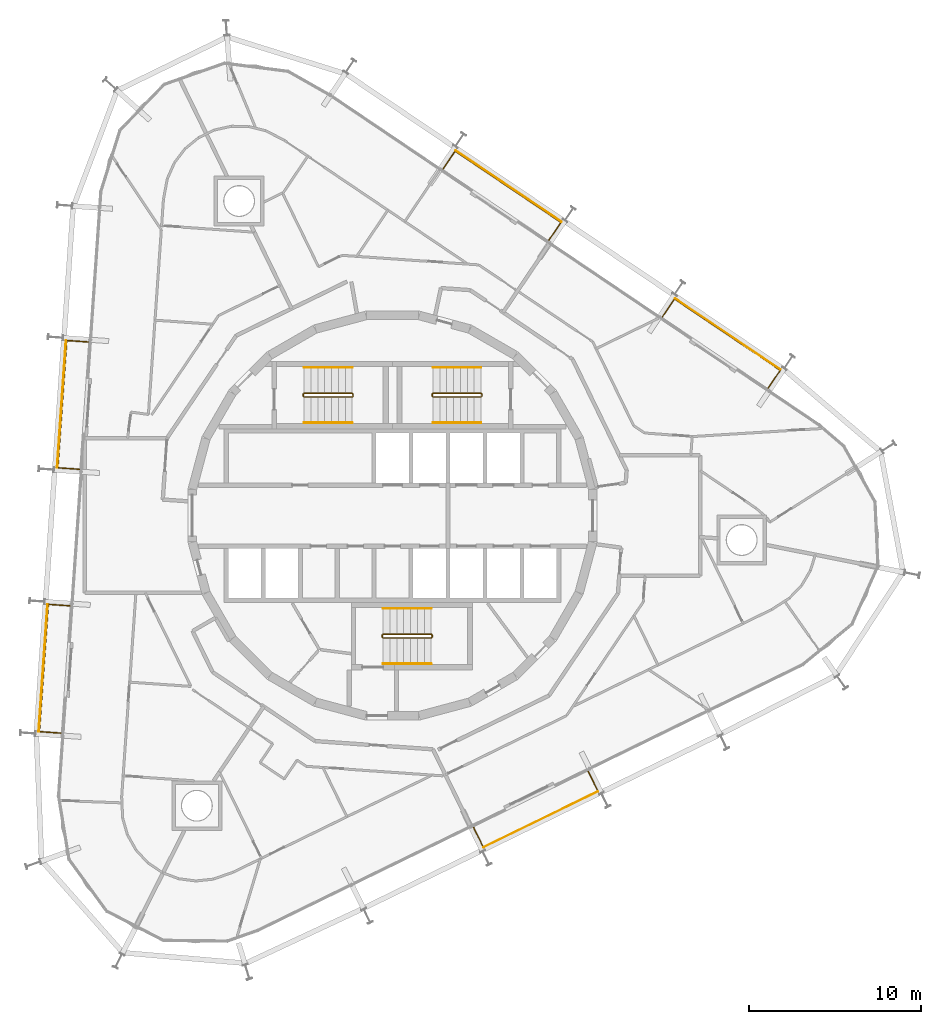
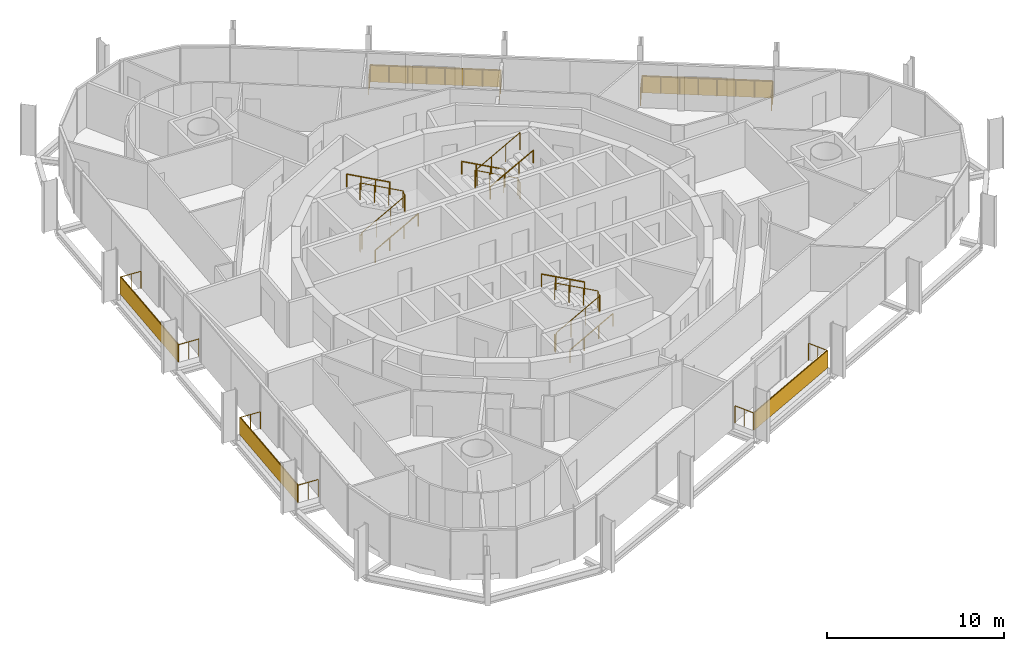
# One storey, part 18 of 18: 14 railings, 5 shading devices.
"""IFC4 building model written with IfcOpenShell, lengths in metres."""

from ifc_helpers import new_model, si_unit, direction, frame, origin, origin_2d, place, context, subcontext, project, spatial, rectangle, circle, extrude, material, layer, layer_set, type_object, element, save


model = new_model("IFC4")

# Units and contexts
model_context = context("Model", 3, precision=1e-05, world=origin(), true_north=direction((0.0, 1.0)))
body_context = subcontext(model_context, "Body", "Model", "MODEL_VIEW")
ifc_project = project(units=[si_unit("LENGTHUNIT", "METRE"), si_unit("AREAUNIT", "SQUARE_METRE"), si_unit("VOLUMEUNIT", "CUBIC_METRE"), si_unit("PLANEANGLEUNIT", "RADIAN"), si_unit("MASSUNIT", "GRAM", prefix="KILO")], contexts=[model_context])

# Site, building, storey
site_placement = place(None, origin())
site = spatial("IfcSite", under=ifc_project, at=site_placement, CompositionType="ELEMENT")
building_placement = place(site_placement, origin())
building = spatial("IfcBuilding", under=site, at=building_placement, Name="Spindle Arch Residences", CompositionType="ELEMENT")
storey_placement = place(building_placement, frame((0.0, 0.0, 198.89990234375)))
storey = spatial("IfcBuildingStorey", under=building, at=storey_placement, Name="L50", CompositionType="ELEMENT", Elevation=198.89990234375)

# Railings
ifc_material_1 = material(Name="Bronze anodised aluminium guard with glass infill", Category="aluminium")
railing_type_1 = type_object("IfcRailingType", Name="Balcony guard 1200", PredefinedType="GUARDRAIL", material=ifc_material_1)
railing_1_placement = place(storey_placement, frame((21.8544921875, 7.41796875, 0.0)))
element("IfcRailing", 1, at=railing_1_placement, inside=storey, type_object=railing_type_1, Name="Guard L50 bay 6", PredefinedType="GUARDRAIL", context=body_context, shape_type="SweptSolid", body=[
    extrude(circle(Radius=0.02392578125, at=origin_2d()), frame((0.0, 0.0, 1.17578125), z_axis=(0.559154156027, 0.829063706718, 0.0), x_axis=(-0.829063706718, 0.559154156027, 0.0)), (0.0, 0.0, 1.0), 1.25),
    extrude(circle(Radius=0.02392578125, at=origin_2d()), frame((0.698974609375, 1.036376953125, 1.17578125), z_axis=(-0.829032773144, 0.559200018824, 0.0), x_axis=(-0.559200018824, -0.829032773144, 0.0)), (0.0, 0.0, 1.0), 7.423828125),
    extrude(circle(Radius=0.02392578125, at=origin_2d()), frame((-5.45556640625, 5.187744140625, 1.17578125), z_axis=(-0.559154156027, -0.829063706718, 0.0), x_axis=(0.829063706718, -0.559154156027, 0.0)), (0.0, 0.0, 1.0), 1.25),
    extrude(circle(Radius=0.02099609375, at=origin_2d()), origin(), (0.0, 0.0, 1.0), 1.15185546875),
    extrude(circle(Radius=0.02099609375, at=origin_2d()), frame((0.349609375, 0.51806640625, 0.0)), (0.0, 0.0, 1.0), 1.15185546875),
    extrude(circle(Radius=0.02099609375, at=origin_2d()), frame((0.698974609375, 1.036376953125, 0.0)), (0.0, 0.0, 1.0), 1.15185546875),
    extrude(circle(Radius=0.02099609375, at=origin_2d()), frame((-0.18017578125, 1.62939453125, 0.0)), (0.0, 0.0, 1.0), 1.15185546875),
    extrude(circle(Radius=0.02099609375, at=origin_2d()), frame((-1.0595703125, 2.222412109375, 0.0)), (0.0, 0.0, 1.0), 1.15185546875),
    extrude(circle(Radius=0.02099609375, at=origin_2d()), frame((-1.938720703125, 2.8154296875, 0.0)), (0.0, 0.0, 1.0), 1.15185546875),
    extrude(circle(Radius=0.02099609375, at=origin_2d()), frame((-2.81787109375, 3.40869140625, 0.0)), (0.0, 0.0, 1.0), 1.15185546875),
    extrude(circle(Radius=0.02099609375, at=origin_2d()), frame((-3.697021484375, 4.001708984375, 0.0)), (0.0, 0.0, 1.0), 1.15185546875),
    extrude(circle(Radius=0.02099609375, at=origin_2d()), frame((-4.576416015625, 4.5947265625, 0.0)), (0.0, 0.0, 1.0), 1.15185546875),
    extrude(circle(Radius=0.02099609375, at=origin_2d()), frame((-5.45556640625, 5.187744140625, 0.0)), (0.0, 0.0, 1.0), 1.15185546875),
    extrude(circle(Radius=0.02099609375, at=origin_2d()), frame((-5.80517578125, 4.66943359375, 0.0)), (0.0, 0.0, 1.0), 1.15185546875),
    extrude(circle(Radius=0.02099609375, at=origin_2d()), frame((-6.154541015625, 4.1513671875, 0.0)), (0.0, 0.0, 1.0), 1.15185546875),
])
railing_2_placement = place(storey_placement, frame((9.097900390625, 16.022705078125, 0.0)))
element("IfcRailing", 2, at=railing_2_placement, inside=storey, type_object=railing_type_1, Name="Guard L50 bay 8", PredefinedType="GUARDRAIL", context=body_context, shape_type="SweptSolid", body=[
    extrude(circle(Radius=0.02392578125, at=origin_2d()), frame((0.0, 0.0, 1.17578125), z_axis=(0.559244705098, 0.829002629562, 0.0), x_axis=(-0.829002629562, 0.559244705098, 0.0)), (0.0, 0.0, 1.0), 1.249755859375),
    extrude(circle(Radius=0.02392578125, at=origin_2d()), frame((0.698974609375, 1.0361328125, 1.17578125), z_axis=(-0.829032773144, 0.559200018824, 0.0), x_axis=(-0.559200018824, -0.829032773144, 0.0)), (0.0, 0.0, 1.0), 7.423828125),
    extrude(circle(Radius=0.02392578125, at=origin_2d()), frame((-5.45556640625, 5.1875, 1.17578125), z_axis=(-0.559154156027, -0.829063706718, 0.0), x_axis=(0.829063706718, -0.559154156027, 0.0)), (0.0, 0.0, 1.0), 1.25),
    extrude(circle(Radius=0.02099609375, at=origin_2d()), origin(), (0.0, 0.0, 1.0), 1.15185546875),
    extrude(circle(Radius=0.02099609375, at=origin_2d()), frame((0.349609375, 0.51806640625, 0.0)), (0.0, 0.0, 1.0), 1.15185546875),
    extrude(circle(Radius=0.02099609375, at=origin_2d()), frame((0.698974609375, 1.0361328125, 0.0)), (0.0, 0.0, 1.0), 1.15185546875),
    extrude(circle(Radius=0.02099609375, at=origin_2d()), frame((-0.18017578125, 1.629150390625, 0.0)), (0.0, 0.0, 1.0), 1.15185546875),
    extrude(circle(Radius=0.02099609375, at=origin_2d()), frame((-1.0595703125, 2.22216796875, 0.0)), (0.0, 0.0, 1.0), 1.15185546875),
    extrude(circle(Radius=0.02099609375, at=origin_2d()), frame((-1.938720703125, 2.815185546875, 0.0)), (0.0, 0.0, 1.0), 1.15185546875),
    extrude(circle(Radius=0.02099609375, at=origin_2d()), frame((-2.81787109375, 3.408447265625, 0.0)), (0.0, 0.0, 1.0), 1.15185546875),
    extrude(circle(Radius=0.02099609375, at=origin_2d()), frame((-3.697021484375, 4.00146484375, 0.0)), (0.0, 0.0, 1.0), 1.15185546875),
    extrude(circle(Radius=0.02099609375, at=origin_2d()), frame((-4.576416015625, 4.594482421875, 0.0)), (0.0, 0.0, 1.0), 1.15185546875),
    extrude(circle(Radius=0.02099609375, at=origin_2d()), frame((-5.45556640625, 5.1875, 0.0)), (0.0, 0.0, 1.0), 1.15185546875),
    extrude(circle(Radius=0.02099609375, at=origin_2d()), frame((-5.80517578125, 4.66943359375, 0.0)), (0.0, 0.0, 1.0), 1.15185546875),
    extrude(circle(Radius=0.02099609375, at=origin_2d()), frame((-6.154541015625, 4.151123046875, 0.0)), (0.0, 0.0, 1.0), 1.15185546875),
])
railing_3_placement = place(storey_placement, frame((-17.709228515625, 10.100830078125, 0.0)))
element("IfcRailing", 3, at=railing_3_placement, inside=storey, type_object=railing_type_1, Name="Guard L50 bay 14", PredefinedType="GUARDRAIL", context=body_context, shape_type="SweptSolid", body=[
    extrude(circle(Radius=0.02392578125, at=origin_2d()), frame((0.0, 0.0, 1.17578125), z_axis=(-0.997552977804, 0.06991463705, 0.0), x_axis=(-0.06991463705, -0.997552977804, 0.0)), (0.0, 0.0, 1.0), 1.250244140625),
    extrude(circle(Radius=0.02392578125, at=origin_2d()), frame((-1.2470703125, 0.08740234375, 1.17578125), z_axis=(-0.069751240415, -0.997564416196, 0.0), x_axis=(0.997564416196, -0.069751240415, 0.0)), (0.0, 0.0, 1.0), 7.423828125),
    extrude(circle(Radius=0.02392578125, at=origin_2d()), frame((-1.764892578125, -7.318359375, 1.17578125), z_axis=(0.997566579437, -0.069720295391, 0.0), x_axis=(0.069720295391, 0.997566579437, 0.0)), (0.0, 0.0, 1.0), 1.25),
    extrude(circle(Radius=0.02099609375, at=origin_2d()), origin(), (0.0, 0.0, 1.0), 1.15185546875),
    extrude(circle(Radius=0.02099609375, at=origin_2d()), frame((-0.62353515625, 0.043701171875, 0.0)), (0.0, 0.0, 1.0), 1.15185546875),
    extrude(circle(Radius=0.02099609375, at=origin_2d()), frame((-1.2470703125, 0.08740234375, 0.0)), (0.0, 0.0, 1.0), 1.15185546875),
    extrude(circle(Radius=0.02099609375, at=origin_2d()), frame((-1.321044921875, -0.970458984375, 0.0)), (0.0, 0.0, 1.0), 1.15185546875),
    extrude(circle(Radius=0.02099609375, at=origin_2d()), frame((-1.39501953125, -2.028564453125, 0.0)), (0.0, 0.0, 1.0), 1.15185546875),
    extrude(circle(Radius=0.02099609375, at=origin_2d()), frame((-1.468994140625, -3.08642578125, 0.0)), (0.0, 0.0, 1.0), 1.15185546875),
    extrude(circle(Radius=0.02099609375, at=origin_2d()), frame((-1.54296875, -4.14453125, 0.0)), (0.0, 0.0, 1.0), 1.15185546875),
    extrude(circle(Radius=0.02099609375, at=origin_2d()), frame((-1.616943359375, -5.202392578125, 0.0)), (0.0, 0.0, 1.0), 1.15185546875),
    extrude(circle(Radius=0.02099609375, at=origin_2d()), frame((-1.69091796875, -6.260498046875, 0.0)), (0.0, 0.0, 1.0), 1.15185546875),
    extrude(circle(Radius=0.02099609375, at=origin_2d()), frame((-1.764892578125, -7.318359375, 0.0)), (0.0, 0.0, 1.0), 1.15185546875),
    extrude(circle(Radius=0.02099609375, at=origin_2d()), frame((-1.141357421875, -7.36181640625, 0.0)), (0.0, 0.0, 1.0), 1.15185546875),
    extrude(circle(Radius=0.02099609375, at=origin_2d()), frame((-0.517822265625, -7.405517578125, 0.0)), (0.0, 0.0, 1.0), 1.15185546875),
])
railing_4_placement = place(storey_placement, frame((-18.78271484375, -5.2490234375, 0.0)))
element("IfcRailing", 4, at=railing_4_placement, inside=storey, type_object=railing_type_1, Name="Guard L50 bay 16", PredefinedType="GUARDRAIL", context=body_context, shape_type="SweptSolid", body=[
    extrude(circle(Radius=0.02392578125, at=origin_2d()), frame((0.0, 0.0, 1.17578125), z_axis=(-0.997565629847, 0.069733880919, 0.0), x_axis=(-0.069733880919, -0.997565629847, 0.0)), (0.0, 0.0, 1.0), 1.249755859375),
    extrude(circle(Radius=0.02392578125, at=origin_2d()), frame((-1.246826171875, 0.087158203125, 1.17578125), z_axis=(-0.069753528744, -0.99756425619, 0.0), x_axis=(0.99756425619, -0.069753528744, 0.0)), (0.0, 0.0, 1.0), 7.423583984375),
    extrude(circle(Radius=0.02392578125, at=origin_2d()), frame((-1.7646484375, -7.318359375, 1.17578125), z_axis=(0.997565629847, -0.069733880919, 0.0), x_axis=(0.069733880919, 0.997565629847, 0.0)), (0.0, 0.0, 1.0), 1.249755859375),
    extrude(circle(Radius=0.02099609375, at=origin_2d()), origin(), (0.0, 0.0, 1.0), 1.15185546875),
    extrude(circle(Radius=0.02099609375, at=origin_2d()), frame((-0.62353515625, 0.04345703125, 0.0)), (0.0, 0.0, 1.0), 1.15185546875),
    extrude(circle(Radius=0.02099609375, at=origin_2d()), frame((-1.246826171875, 0.087158203125, 0.0)), (0.0, 0.0, 1.0), 1.15185546875),
    extrude(circle(Radius=0.02099609375, at=origin_2d()), frame((-1.32080078125, -0.970703125, 0.0)), (0.0, 0.0, 1.0), 1.15185546875),
    extrude(circle(Radius=0.02099609375, at=origin_2d()), frame((-1.394775390625, -2.02880859375, 0.0)), (0.0, 0.0, 1.0), 1.15185546875),
    extrude(circle(Radius=0.02099609375, at=origin_2d()), frame((-1.46875, -3.086669921875, 0.0)), (0.0, 0.0, 1.0), 1.15185546875),
    extrude(circle(Radius=0.02099609375, at=origin_2d()), frame((-1.542724609375, -4.14453125, 0.0)), (0.0, 0.0, 1.0), 1.15185546875),
    extrude(circle(Radius=0.02099609375, at=origin_2d()), frame((-1.61669921875, -5.202392578125, 0.0)), (0.0, 0.0, 1.0), 1.15185546875),
    extrude(circle(Radius=0.02099609375, at=origin_2d()), frame((-1.690673828125, -6.260498046875, 0.0)), (0.0, 0.0, 1.0), 1.15185546875),
    extrude(circle(Radius=0.02099609375, at=origin_2d()), frame((-1.7646484375, -7.318359375, 0.0)), (0.0, 0.0, 1.0), 1.15185546875),
    extrude(circle(Radius=0.02099609375, at=origin_2d()), frame((-1.14111328125, -7.36181640625, 0.0)), (0.0, 0.0, 1.0), 1.15185546875),
    extrude(circle(Radius=0.02099609375, at=origin_2d()), frame((-0.517822265625, -7.405517578125, 0.0)), (0.0, 0.0, 1.0), 1.15185546875),
])
railing_5_placement = place(storey_placement, frame((4.717041015625, -18.138671875, 0.0)))
element("IfcRailing", 5, at=railing_5_placement, inside=storey, type_object=railing_type_1, Name="Guard L50 bay 22", PredefinedType="GUARDRAIL", context=body_context, shape_type="SweptSolid", body=[
    extrude(circle(Radius=0.02392578125, at=origin_2d()), frame((0.0, 0.0, 1.17578125), z_axis=(0.438285095444, -0.898836011245, 0.0), x_axis=(0.898836011245, 0.438285095444, 0.0)), (0.0, 0.0, 1.0), 1.25),
    extrude(circle(Radius=0.02392578125, at=origin_2d()), frame((0.5478515625, -1.12353515625, 1.17578125), z_axis=(0.898790569069, 0.438378276096, 0.0), x_axis=(-0.438378276096, 0.898790569069, 0.0)), (0.0, 0.0, 1.0), 7.423828125),
    extrude(circle(Radius=0.02392578125, at=origin_2d()), frame((7.22021484375, 2.130859375, 1.17578125), z_axis=(-0.438285095444, 0.898836011245, 0.0), x_axis=(-0.898836011245, -0.438285095444, 0.0)), (0.0, 0.0, 1.0), 1.25),
    extrude(circle(Radius=0.02099609375, at=origin_2d()), origin(), (0.0, 0.0, 1.0), 1.15185546875),
    extrude(circle(Radius=0.02099609375, at=origin_2d()), frame((0.27392578125, -0.561767578125, 0.0)), (0.0, 0.0, 1.0), 1.15185546875),
    extrude(circle(Radius=0.02099609375, at=origin_2d()), frame((0.5478515625, -1.12353515625, 0.0)), (0.0, 0.0, 1.0), 1.15185546875),
    extrude(circle(Radius=0.02099609375, at=origin_2d()), frame((1.5009765625, -0.65869140625, 0.0)), (0.0, 0.0, 1.0), 1.15185546875),
    extrude(circle(Radius=0.02099609375, at=origin_2d()), frame((2.454345703125, -0.193603515625, 0.0)), (0.0, 0.0, 1.0), 1.15185546875),
    extrude(circle(Radius=0.02099609375, at=origin_2d()), frame((3.407470703125, 0.271240234375, 0.0)), (0.0, 0.0, 1.0), 1.15185546875),
    extrude(circle(Radius=0.02099609375, at=origin_2d()), frame((4.360595703125, 0.736083984375, 0.0)), (0.0, 0.0, 1.0), 1.15185546875),
    extrude(circle(Radius=0.02099609375, at=origin_2d()), frame((5.313720703125, 1.200927734375, 0.0)), (0.0, 0.0, 1.0), 1.15185546875),
    extrude(circle(Radius=0.02099609375, at=origin_2d()), frame((6.26708984375, 1.666015625, 0.0)), (0.0, 0.0, 1.0), 1.15185546875),
    extrude(circle(Radius=0.02099609375, at=origin_2d()), frame((7.22021484375, 2.130859375, 0.0)), (0.0, 0.0, 1.0), 1.15185546875),
    extrude(circle(Radius=0.02099609375, at=origin_2d()), frame((6.9462890625, 2.692626953125, 0.0)), (0.0, 0.0, 1.0), 1.15185546875),
    extrude(circle(Radius=0.02099609375, at=origin_2d()), frame((6.67236328125, 3.25439453125, 0.0)), (0.0, 0.0, 1.0), 1.15185546875),
])

# Shading devices
ifc_material_2 = material(Name="Bronze perforated cobogo screen")
ifc_layer = layer(ifc_material_2, 0.0390625)
ifc_layer_set = layer_set([ifc_layer], Name="Cobogo screen 1200")
shading_device_type = type_object("IfcShadingDeviceType", Name="Cobogo screen 1200", PredefinedType="USERDEFINED", material=ifc_layer_set)
for number, where, z_axis, x_axis, name in (
    (6, (19.4990234375, 10.5634765625, 0.0), (0.0, 0.0, 1.0), (-0.829037572555, 0.559192903471, 0.0), "Cobogo screen L50 bay 6"),
    (7, (6.7421875, 19.168212890625, 0.0), (0.0, 0.0, 1.0), (-0.829037572555, 0.559192903471, 0.0), "Cobogo screen L50 bay 8"),
    (8, (-19.255615234375, 6.488037109375, 0.0), (0.0, 0.0, 1.0), (-0.069756473744, -0.99756405026, 0.0), "Cobogo screen L50 bay 14"),
    (9, (-20.328857421875, -8.86181640625, 0.0), (0.0, 0.0, 1.0), (-0.069756473744, -0.99756405026, 0.0), "Cobogo screen L50 bay 16"),
    (10, (8.618896484375, -17.67138671875, 0.0), (0.0, 0.0, 1.0), (0.898794046299, 0.438371146789, 0.0), "Cobogo screen L50 bay 22"),
):
    element("IfcShadingDevice", number, at=place(storey_placement, frame(where, z_axis=z_axis, x_axis=x_axis)), inside=storey, type_object=shading_device_type, Name=name, ObjectType="SCREEN", PredefinedType="USERDEFINED", context=body_context, shape_type="SweptSolid", body=[
        extrude(rectangle(XDim=7.423828125, YDim=0.0390625, at=origin_2d()), origin(), (0.0, 0.0, 1.0), 1.199951171875),
    ])

# Railings
ifc_material_3 = material(Name="Steel, painted", Category="steel")
railing_type_2 = type_object("IfcRailingType", Name="Stair guard 1100", PredefinedType="GUARDRAIL", material=ifc_material_3)
railing_6_placement = place(storey_placement, frame((5.14990234375, 6.89990234375, 3.5)))
element("IfcRailing", 11, at=railing_6_placement, inside=storey, type_object=railing_type_2, Name="L50 ST1 stair guard 1", PredefinedType="GUARDRAIL", context=body_context, shape_type="SweptSolid", body=[
    extrude(circle(Radius=0.02392578125, at=origin_2d()), frame((0.0, 0.0, 1.17578125), z_axis=(-0.877357048833, 0.0, -0.479838106931), x_axis=(0.0, -1.0, 0.0)), (0.0, 0.0, 1.0), 3.191162109375),
    extrude(circle(Radius=0.02392578125, at=origin_2d()), frame((-2.7998046875, 0.0, -0.35546875), z_axis=(-0.217683172539, 0.217683172539, -0.951434744366), x_axis=(-0.707106781187, -0.707106781187, 0.0)), (0.0, 0.0, 1.0), 0.22998046875),
    extrude(circle(Radius=0.02392578125, at=origin_2d()), frame((-2.849853515625, 0.050048828125, -0.57421875), z_axis=(0.0, 1.0, 0.0), x_axis=(-1.0, 0.0, 0.0)), (0.0, 0.0, 1.0), 0.1201171875),
    extrude(circle(Radius=0.02392578125, at=origin_2d()), frame((-2.849853515625, 0.170166015625, -0.57421875), z_axis=(0.707106781187, 0.707106781187, 0.0), x_axis=(-0.707106781187, 0.707106781187, 0.0)), (0.0, 0.0, 1.0), 0.07080078125),
    extrude(circle(Radius=0.02392578125, at=origin_2d()), frame((-2.7998046875, 0.22021484375, -0.57421875), z_axis=(0.877357048833, 0.0, -0.479838106931), x_axis=(0.0, 1.0, 0.0)), (0.0, 0.0, 1.0), 3.191162109375),
    extrude(circle(Radius=0.02392578125, at=origin_2d()), frame((0.0, 0.22021484375, -2.10546875), z_axis=(0.217683172539, -0.217683172539, -0.951434744366), x_axis=(0.707106781187, 0.707106781187, 0.0)), (0.0, 0.0, 1.0), 0.22998046875),
    extrude(circle(Radius=0.02392578125, at=origin_2d()), frame((0.050048828125, 0.170166015625, -2.32421875), z_axis=(0.0, -1.0, 0.0), x_axis=(1.0, 0.0, 0.0)), (0.0, 0.0, 1.0), 0.1201171875),
    extrude(circle(Radius=0.02099609375, at=origin_2d()), origin(), (0.0, 0.0, 1.0), 1.15185546875),
    extrude(circle(Radius=0.02099609375, at=origin_2d()), frame((-0.933349609375, 0.0, -0.510498046875)), (0.0, 0.0, 1.0), 1.15185546875),
    extrude(circle(Radius=0.02099609375, at=origin_2d()), frame((-1.866455078125, 0.0, -1.020751953125)), (0.0, 0.0, 1.0), 1.15185546875),
    extrude(circle(Radius=0.02099609375, at=origin_2d()), frame((-2.7998046875, 0.0, -1.53125)), (0.0, 0.0, 1.0), 1.15185546875),
    extrude(circle(Radius=0.02099609375, at=origin_2d()), frame((-2.849853515625, 0.050048828125, -1.75)), (0.0, 0.0, 1.0), 1.15185546875),
    extrude(circle(Radius=0.02099609375, at=origin_2d()), frame((-2.849853515625, 0.170166015625, -1.75)), (0.0, 0.0, 1.0), 1.15185546875),
    extrude(circle(Radius=0.02099609375, at=origin_2d()), frame((-2.7998046875, 0.22021484375, -1.75)), (0.0, 0.0, 1.0), 1.15185546875),
    extrude(circle(Radius=0.02099609375, at=origin_2d()), frame((-1.866455078125, 0.22021484375, -2.260498046875)), (0.0, 0.0, 1.0), 1.15185546875),
    extrude(circle(Radius=0.02099609375, at=origin_2d()), frame((-0.933349609375, 0.22021484375, -2.770751953125)), (0.0, 0.0, 1.0), 1.15185546875),
    extrude(circle(Radius=0.02099609375, at=origin_2d()), frame((0.0, 0.22021484375, -3.28125)), (0.0, 0.0, 1.0), 1.15185546875),
    extrude(circle(Radius=0.02099609375, at=origin_2d()), frame((0.050048828125, 0.170166015625, -3.5)), (0.0, 0.0, 1.0), 1.15185546875),
    extrude(circle(Radius=0.02099609375, at=origin_2d()), frame((0.050048828125, 0.050048828125, -3.5)), (0.0, 0.0, 1.0), 1.15185546875),
])
railing_7_placement = place(storey_placement, frame((-5.14990234375, 7.1201171875, 3.5)))
element("IfcRailing", 12, at=railing_7_placement, inside=storey, type_object=railing_type_2, Name="L50 ST2 stair guard 1", PredefinedType="GUARDRAIL", context=body_context, shape_type="SweptSolid", body=[
    extrude(circle(Radius=0.02392578125, at=origin_2d()), frame((0.0, 0.0, 1.17578125), z_axis=(0.877357048833, 0.0, -0.479838106931), x_axis=(0.0, 1.0, 0.0)), (0.0, 0.0, 1.0), 3.191162109375),
    extrude(circle(Radius=0.02392578125, at=origin_2d()), frame((2.7998046875, 0.0, -0.35546875), z_axis=(0.217683172539, -0.217683172539, -0.951434744366), x_axis=(0.707106781187, 0.707106781187, 0.0)), (0.0, 0.0, 1.0), 0.22998046875),
    extrude(circle(Radius=0.02392578125, at=origin_2d()), frame((2.849853515625, -0.050048828125, -0.57421875), z_axis=(0.0, -1.0, 0.0), x_axis=(1.0, 0.0, 0.0)), (0.0, 0.0, 1.0), 0.1201171875),
    extrude(circle(Radius=0.02392578125, at=origin_2d()), frame((2.849853515625, -0.170166015625, -0.57421875), z_axis=(-0.707106781187, -0.707106781187, 0.0), x_axis=(0.707106781187, -0.707106781187, 0.0)), (0.0, 0.0, 1.0), 0.07080078125),
    extrude(circle(Radius=0.02392578125, at=origin_2d()), frame((2.7998046875, -0.22021484375, -0.57421875), z_axis=(-0.877357048833, 0.0, -0.479838106931), x_axis=(0.0, -1.0, 0.0)), (0.0, 0.0, 1.0), 3.191162109375),
    extrude(circle(Radius=0.02392578125, at=origin_2d()), frame((0.0, -0.22021484375, -2.10546875), z_axis=(-0.217683172539, 0.217683172539, -0.951434744366), x_axis=(-0.707106781187, -0.707106781187, 0.0)), (0.0, 0.0, 1.0), 0.22998046875),
    extrude(circle(Radius=0.02392578125, at=origin_2d()), frame((-0.050048828125, -0.170166015625, -2.32421875), z_axis=(0.0, 1.0, 0.0), x_axis=(-1.0, 0.0, 0.0)), (0.0, 0.0, 1.0), 0.1201171875),
    extrude(circle(Radius=0.02099609375, at=origin_2d()), origin(), (0.0, 0.0, 1.0), 1.15185546875),
    extrude(circle(Radius=0.02099609375, at=origin_2d()), frame((0.933349609375, 0.0, -0.510498046875)), (0.0, 0.0, 1.0), 1.15185546875),
    extrude(circle(Radius=0.02099609375, at=origin_2d()), frame((1.866455078125, 0.0, -1.020751953125)), (0.0, 0.0, 1.0), 1.15185546875),
    extrude(circle(Radius=0.02099609375, at=origin_2d()), frame((2.7998046875, 0.0, -1.53125)), (0.0, 0.0, 1.0), 1.15185546875),
    extrude(circle(Radius=0.02099609375, at=origin_2d()), frame((2.849853515625, -0.050048828125, -1.75)), (0.0, 0.0, 1.0), 1.15185546875),
    extrude(circle(Radius=0.02099609375, at=origin_2d()), frame((2.849853515625, -0.170166015625, -1.75)), (0.0, 0.0, 1.0), 1.15185546875),
    extrude(circle(Radius=0.02099609375, at=origin_2d()), frame((2.7998046875, -0.22021484375, -1.75)), (0.0, 0.0, 1.0), 1.15185546875),
    extrude(circle(Radius=0.02099609375, at=origin_2d()), frame((1.866455078125, -0.22021484375, -2.260498046875)), (0.0, 0.0, 1.0), 1.15185546875),
    extrude(circle(Radius=0.02099609375, at=origin_2d()), frame((0.933349609375, -0.22021484375, -2.770751953125)), (0.0, 0.0, 1.0), 1.15185546875),
    extrude(circle(Radius=0.02099609375, at=origin_2d()), frame((0.0, -0.22021484375, -3.28125)), (0.0, 0.0, 1.0), 1.15185546875),
    extrude(circle(Radius=0.02099609375, at=origin_2d()), frame((-0.050048828125, -0.170166015625, -3.5)), (0.0, 0.0, 1.0), 1.15185546875),
    extrude(circle(Radius=0.02099609375, at=origin_2d()), frame((-0.050048828125, -0.050048828125, -3.5)), (0.0, 0.0, 1.0), 1.15185546875),
])
railing_8_placement = place(storey_placement, frame((-0.550048828125, -6.89990234375, 3.5)))
element("IfcRailing", 13, at=railing_8_placement, inside=storey, type_object=railing_type_2, Name="L50 ST3 stair guard 1", PredefinedType="GUARDRAIL", context=body_context, shape_type="SweptSolid", body=[
    extrude(circle(Radius=0.02392578125, at=origin_2d()), frame((0.0, 0.0, 1.17578125), z_axis=(0.877374661878, 0.0, -0.479805901063), x_axis=(0.0, 1.0, 0.0)), (0.0, 0.0, 1.0), 3.19140625),
    extrude(circle(Radius=0.02392578125, at=origin_2d()), frame((2.800048828125, 0.0, -0.35546875), z_axis=(0.217683172539, -0.217683172539, -0.951434744366), x_axis=(0.707106781187, 0.707106781187, 0.0)), (0.0, 0.0, 1.0), 0.22998046875),
    extrude(circle(Radius=0.02392578125, at=origin_2d()), frame((2.85009765625, -0.050048828125, -0.57421875), z_axis=(0.0, -1.0, 0.0), x_axis=(1.0, 0.0, 0.0)), (0.0, 0.0, 1.0), 0.1201171875),
    extrude(circle(Radius=0.02392578125, at=origin_2d()), frame((2.85009765625, -0.170166015625, -0.57421875), z_axis=(-0.707106781187, -0.707106781187, 0.0), x_axis=(0.707106781187, -0.707106781187, 0.0)), (0.0, 0.0, 1.0), 0.07080078125),
    extrude(circle(Radius=0.02392578125, at=origin_2d()), frame((2.800048828125, -0.22021484375, -0.57421875), z_axis=(-0.877374661878, 0.0, -0.479805901063), x_axis=(0.0, -1.0, 0.0)), (0.0, 0.0, 1.0), 3.19140625),
    extrude(circle(Radius=0.02392578125, at=origin_2d()), frame((0.0, -0.22021484375, -2.10546875), z_axis=(-0.217683172539, 0.217683172539, -0.951434744366), x_axis=(-0.707106781187, -0.707106781187, 0.0)), (0.0, 0.0, 1.0), 0.22998046875),
    extrude(circle(Radius=0.02392578125, at=origin_2d()), frame((-0.050048828125, -0.170166015625, -2.32421875), z_axis=(0.0, 1.0, 0.0), x_axis=(-1.0, 0.0, 0.0)), (0.0, 0.0, 1.0), 0.1201171875),
    extrude(circle(Radius=0.02099609375, at=origin_2d()), origin(), (0.0, 0.0, 1.0), 1.15185546875),
    extrude(circle(Radius=0.02099609375, at=origin_2d()), frame((0.933349609375, 0.0, -0.510498046875)), (0.0, 0.0, 1.0), 1.15185546875),
    extrude(circle(Radius=0.02099609375, at=origin_2d()), frame((1.86669921875, 0.0, -1.020751953125)), (0.0, 0.0, 1.0), 1.15185546875),
    extrude(circle(Radius=0.02099609375, at=origin_2d()), frame((2.800048828125, 0.0, -1.53125)), (0.0, 0.0, 1.0), 1.15185546875),
    extrude(circle(Radius=0.02099609375, at=origin_2d()), frame((2.85009765625, -0.050048828125, -1.75)), (0.0, 0.0, 1.0), 1.15185546875),
    extrude(circle(Radius=0.02099609375, at=origin_2d()), frame((2.85009765625, -0.170166015625, -1.75)), (0.0, 0.0, 1.0), 1.15185546875),
    extrude(circle(Radius=0.02099609375, at=origin_2d()), frame((2.800048828125, -0.22021484375, -1.75)), (0.0, 0.0, 1.0), 1.15185546875),
    extrude(circle(Radius=0.02099609375, at=origin_2d()), frame((1.86669921875, -0.22021484375, -2.260498046875)), (0.0, 0.0, 1.0), 1.15185546875),
    extrude(circle(Radius=0.02099609375, at=origin_2d()), frame((0.933349609375, -0.22021484375, -2.770751953125)), (0.0, 0.0, 1.0), 1.15185546875),
    extrude(circle(Radius=0.02099609375, at=origin_2d()), frame((0.0, -0.22021484375, -3.28125)), (0.0, 0.0, 1.0), 1.15185546875),
    extrude(circle(Radius=0.02099609375, at=origin_2d()), frame((-0.050048828125, -0.170166015625, -3.5)), (0.0, 0.0, 1.0), 1.15185546875),
    extrude(circle(Radius=0.02099609375, at=origin_2d()), frame((-0.050048828125, -0.050048828125, -3.5)), (0.0, 0.0, 1.0), 1.15185546875),
])
ifc_material_4 = material(Name="Steel, painted", Category="steel")
railing_type_3 = type_object("IfcRailingType", Name="Stair handrail 900", PredefinedType="HANDRAIL", material=ifc_material_4)
railing_9_placement = place(storey_placement, frame((5.14990234375, 8.6201171875, 0.21875)))
element("IfcRailing", 14, at=railing_9_placement, inside=storey, type_object=railing_type_3, Name="L50 ST1 stair handrail 1", PredefinedType="HANDRAIL", context=body_context, shape_type="SweptSolid", body=[
    extrude(circle(Radius=0.02392578125, at=origin_2d()), frame((0.0, 0.0, 0.8759765625), z_axis=(-0.877357048833, 0.0, 0.479838106931), x_axis=(0.0, -1.0, 0.0)), (0.0, 0.0, 1.0), 3.191162109375),
    extrude(circle(Radius=0.02099609375, at=origin_2d()), origin(), (0.0, 0.0, 1.0), 0.851806640625),
    extrude(circle(Radius=0.02099609375, at=origin_2d()), frame((-0.933349609375, 0.0, 0.510498046875)), (0.0, 0.0, 1.0), 0.851806640625),
    extrude(circle(Radius=0.02099609375, at=origin_2d()), frame((-1.866455078125, 0.0, 1.020751953125)), (0.0, 0.0, 1.0), 0.851806640625),
    extrude(circle(Radius=0.02099609375, at=origin_2d()), frame((-2.7998046875, 0.0, 1.53125)), (0.0, 0.0, 1.0), 0.851806640625),
])
for number, where, name in (
    (15, (2.35009765625, 5.39990234375, 1.96875), "L50 ST1 stair handrail 2"),
    (16, (-5.14990234375, 5.39990234375, 0.21875), "L50 ST2 stair handrail 1"),
):
    element("IfcRailing", number, at=place(storey_placement, frame(where)), inside=storey, type_object=railing_type_3, Name=name, PredefinedType="HANDRAIL", context=body_context, shape_type="SweptSolid", body=[
        extrude(circle(Radius=0.02392578125, at=origin_2d()), frame((0.0, 0.0, 0.8759765625), z_axis=(0.877357048833, 0.0, 0.479838106931), x_axis=(0.0, 1.0, 0.0)), (0.0, 0.0, 1.0), 3.191162109375),
        extrude(circle(Radius=0.02099609375, at=origin_2d()), origin(), (0.0, 0.0, 1.0), 0.851806640625),
        extrude(circle(Radius=0.02099609375, at=origin_2d()), frame((0.933349609375, 0.0, 0.510498046875)), (0.0, 0.0, 1.0), 0.851806640625),
        extrude(circle(Radius=0.02099609375, at=origin_2d()), frame((1.866455078125, 0.0, 1.020751953125)), (0.0, 0.0, 1.0), 0.851806640625),
        extrude(circle(Radius=0.02099609375, at=origin_2d()), frame((2.7998046875, 0.0, 1.53125)), (0.0, 0.0, 1.0), 0.851806640625),
    ])
railing_10_placement = place(storey_placement, frame((-2.35009765625, 8.6201171875, 1.96875)))
element("IfcRailing", 17, at=railing_10_placement, inside=storey, type_object=railing_type_3, Name="L50 ST2 stair handrail 2", PredefinedType="HANDRAIL", context=body_context, shape_type="SweptSolid", body=[
    extrude(circle(Radius=0.02392578125, at=origin_2d()), frame((0.0, 0.0, 0.8759765625), z_axis=(-0.877357048833, 0.0, 0.479838106931), x_axis=(0.0, -1.0, 0.0)), (0.0, 0.0, 1.0), 3.191162109375),
    extrude(circle(Radius=0.02099609375, at=origin_2d()), origin(), (0.0, 0.0, 1.0), 0.851806640625),
    extrude(circle(Radius=0.02099609375, at=origin_2d()), frame((-0.933349609375, 0.0, 0.510498046875)), (0.0, 0.0, 1.0), 0.851806640625),
    extrude(circle(Radius=0.02099609375, at=origin_2d()), frame((-1.866455078125, 0.0, 1.020751953125)), (0.0, 0.0, 1.0), 0.851806640625),
    extrude(circle(Radius=0.02099609375, at=origin_2d()), frame((-2.7998046875, 0.0, 1.53125)), (0.0, 0.0, 1.0), 0.851806640625),
])
railing_11_placement = place(storey_placement, frame((-0.550048828125, -8.6201171875, 0.21875)))
element("IfcRailing", 18, at=railing_11_placement, inside=storey, type_object=railing_type_3, Name="L50 ST3 stair handrail 1", PredefinedType="HANDRAIL", context=body_context, shape_type="SweptSolid", body=[
    extrude(circle(Radius=0.02392578125, at=origin_2d()), frame((0.0, 0.0, 0.8759765625), z_axis=(0.877374661878, 0.0, 0.479805901063), x_axis=(0.0, 1.0, 0.0)), (0.0, 0.0, 1.0), 3.19140625),
    extrude(circle(Radius=0.02099609375, at=origin_2d()), origin(), (0.0, 0.0, 1.0), 0.851806640625),
    extrude(circle(Radius=0.02099609375, at=origin_2d()), frame((0.933349609375, 0.0, 0.510498046875)), (0.0, 0.0, 1.0), 0.851806640625),
    extrude(circle(Radius=0.02099609375, at=origin_2d()), frame((1.86669921875, 0.0, 1.020751953125)), (0.0, 0.0, 1.0), 0.851806640625),
    extrude(circle(Radius=0.02099609375, at=origin_2d()), frame((2.800048828125, 0.0, 1.53125)), (0.0, 0.0, 1.0), 0.851806640625),
])
railing_12_placement = place(storey_placement, frame((2.25, -5.39990234375, 1.96875)))
element("IfcRailing", 19, at=railing_12_placement, inside=storey, type_object=railing_type_3, Name="L50 ST3 stair handrail 2", PredefinedType="HANDRAIL", context=body_context, shape_type="SweptSolid", body=[
    extrude(circle(Radius=0.02392578125, at=origin_2d()), frame((0.0, 0.0, 0.8759765625), z_axis=(-0.877374661878, 0.0, 0.479805901063), x_axis=(0.0, -1.0, 0.0)), (0.0, 0.0, 1.0), 3.19140625),
    extrude(circle(Radius=0.02099609375, at=origin_2d()), origin(), (0.0, 0.0, 1.0), 0.851806640625),
    extrude(circle(Radius=0.02099609375, at=origin_2d()), frame((-0.933349609375, 0.0, 0.510498046875)), (0.0, 0.0, 1.0), 0.851806640625),
    extrude(circle(Radius=0.02099609375, at=origin_2d()), frame((-1.86669921875, 0.0, 1.020751953125)), (0.0, 0.0, 1.0), 0.851806640625),
    extrude(circle(Radius=0.02099609375, at=origin_2d()), frame((-2.800048828125, 0.0, 1.53125)), (0.0, 0.0, 1.0), 0.851806640625),
])

save(model, "model.ifc")
